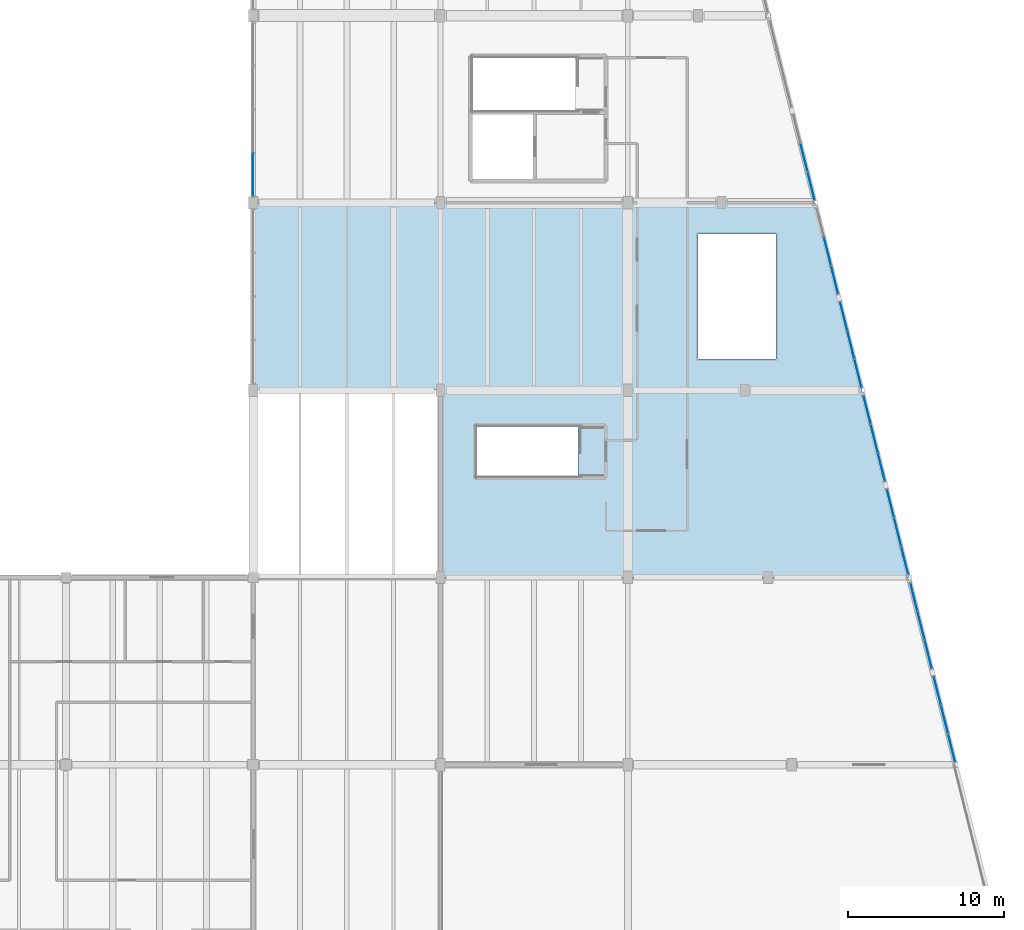
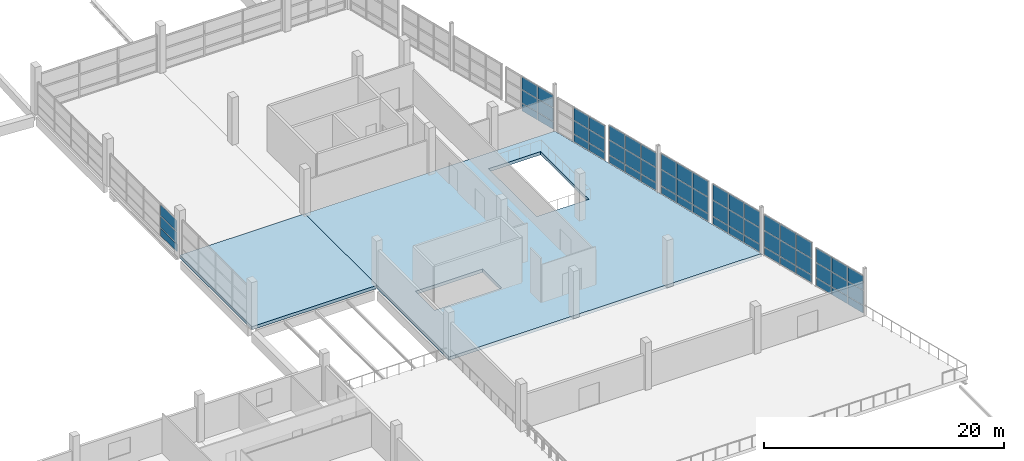
# One storey, part 31 of 49: 60 plates, 2 slabs, 8 elements without a shape of their own.
"""IFC4 building model written with IfcOpenShell, lengths in metres."""

import ifcopenshell
import ifcopenshell.guid

model = None  # the IFC model being written
_history = None  # IfcOwnerHistory: only IFC2X3 demands one
_inside = {}  # id of a spatial element -> (the spatial element, [elements in it])
_under = {}  # id of a project, library or spatial element -> (it, [spatial elements below it])
_declared = {}  # id of a project -> (the project, [libraries it declares])
_typed = {}  # id of a type object -> (the type object, [elements of that type])
_made_of = {}  # id of a material, layer set ... -> (it, [elements and type objects made of it])


def new_model(schema):
    """Start an empty IFC model of exactly this schema.

    Asked for "IFC4X3", IfcOpenShell would pick the latest addendum, in which some entities
    have other attributes; the version numbers below select the first issue.
    IFC2X3 requires an IfcOwnerHistory on every rooted entity: one is made here for all.
    """
    global model, _history
    if schema == "IFC4X3":
        model = ifcopenshell.file(schema_version=(4, 3, 0, 0))
    else:
        model = ifcopenshell.file(schema=schema)
    _inside.clear()
    _under.clear()
    _declared.clear()
    _typed.clear()
    _made_of.clear()
    _history = None
    if model.schema == "IFC2X3":
        org = make("IfcOrganization", Name="unknown")
        user = make(
            "IfcPersonAndOrganization",
            ThePerson=make("IfcPerson", FamilyName="unknown"),
            TheOrganization=org,
        )
        app = make(
            "IfcApplication",
            ApplicationDeveloper=org,
            Version="unknown",
            ApplicationFullName="unknown",
            ApplicationIdentifier="unknown",
        )
        _history = make(
            "IfcOwnerHistory",
            OwningUser=user,
            OwningApplication=app,
            ChangeAction="ADDED",
            CreationDate=0,
        )
    return model


def make(cls, **values):
    """One entity of the class cls with the attributes given. An attribute that is None is left unset."""
    return model.create_entity(
        cls, **{name: value for name, value in values.items() if value is not None}
    )


def rooted(cls, **values):
    """An entity with a GlobalId (a new one), such as an element, a storey or a relation."""
    return make(cls, GlobalId=ifcopenshell.guid.new(), OwnerHistory=_history, **values)


def si_unit(unit_type, name, prefix=None):
    """IfcSIUnit, for example si_unit("LENGTHUNIT", "METRE", prefix="MILLI")."""
    return make("IfcSIUnit", UnitType=unit_type, Prefix=prefix, Name=name)


def assignment(units):
    """IfcUnitAssignment: the units of a project."""
    return None if units is None else make("IfcUnitAssignment", Units=units)


def point(xyz):
    """IfcCartesianPoint."""
    return None if xyz is None else make("IfcCartesianPoint", Coordinates=xyz)


def direction(xyz):
    """IfcDirection."""
    return None if xyz is None else make("IfcDirection", DirectionRatios=xyz)


def frame(location, z_axis=None, x_axis=None):
    """IfcAxis2Placement3D, a coordinate frame: its origin and axes. An axis left out is left unset."""
    return make(
        "IfcAxis2Placement3D",
        Location=point(location),
        Axis=direction(z_axis),
        RefDirection=direction(x_axis),
    )


def frame_2d(location, x_axis=None):
    """IfcAxis2Placement2D, a coordinate frame in the plane: its origin and x axis."""
    return make(
        "IfcAxis2Placement2D", Location=point(location), RefDirection=direction(x_axis)
    )


def origin():
    """The frame at (0, 0, 0) with its axes left unset."""
    return frame((0.0, 0.0, 0.0))


def origin_2d():
    """The frame at (0, 0) in the plane with its x axis left unset."""
    return frame_2d((0.0, 0.0))


def place(relative_to, where):
    """IfcLocalPlacement: puts the frame where relative to a parent placement (None: the world)."""
    return make(
        "IfcLocalPlacement", PlacementRelTo=relative_to, RelativePlacement=where
    )


def context(
    kind, dimensions, precision=None, world=None, true_north=None, identifier=None
):
    """IfcGeometricRepresentationContext, for example the 3D "Model" context."""
    return make(
        "IfcGeometricRepresentationContext",
        ContextIdentifier=identifier,
        ContextType=kind,
        CoordinateSpaceDimension=dimensions,
        Precision=precision,
        WorldCoordinateSystem=world,
        TrueNorth=true_north,
    )


def subcontext(parent, identifier, kind, view, scale=None):
    """IfcGeometricRepresentationSubContext, for example "Body" below "Model"."""
    return make(
        "IfcGeometricRepresentationSubContext",
        ContextIdentifier=identifier,
        ContextType=kind,
        ParentContext=parent,
        TargetScale=scale,
        TargetView=view,
    )


def project(units=None, contexts=None):
    """IfcProject with its units and contexts."""
    return rooted(
        "IfcProject",
        Name="project",
        RepresentationContexts=contexts,
        UnitsInContext=assignment(units),
    )


def spatial(cls, under=None, at=None, **own):
    """A site, building, storey or space (cls), placed at a placement, below another one or the project."""
    s = rooted(cls, ObjectPlacement=at, **own)
    if under is not None:
        _under.setdefault(under.id(), (under, []))[1].append(s)
    return s


def polyline(points):
    """IfcPolyline through the points."""
    return make("IfcPolyline", Points=[point(p) for p in points])


def profile(cls, at=None, kind="AREA", **sizes):
    """A parametric profile (cls). Its sizes go by their IFC names, for example OverallWidth=200.0."""
    return make(cls, ProfileType=kind, Position=at, **sizes)


def rectangle(**sizes):
    """IfcRectangleProfileDef."""
    return profile("IfcRectangleProfileDef", **sizes)


def outline(outer, holes=None, kind="AREA"):
    """IfcArbitraryClosedProfileDef: a profile drawn as a closed curve; with holes, ...WithVoids."""
    if holes is None:
        return make("IfcArbitraryClosedProfileDef", ProfileType=kind, OuterCurve=outer)
    return make(
        "IfcArbitraryProfileDefWithVoids",
        ProfileType=kind,
        OuterCurve=outer,
        InnerCurves=holes,
    )


def extrude(swept, where, along, depth):
    """IfcExtrudedAreaSolid: the profile swept, set in the frame where, extruded along a direction by depth."""
    return make(
        "IfcExtrudedAreaSolid",
        SweptArea=swept,
        Position=where,
        ExtrudedDirection=direction(along),
        Depth=depth,
    )


def shape(context_of_items, identifier, shape_type, items):
    """IfcShapeRepresentation: the items that make up one representation, for example the "Body"."""
    return make(
        "IfcShapeRepresentation",
        ContextOfItems=context_of_items,
        RepresentationIdentifier=identifier,
        RepresentationType=shape_type,
        Items=items,
    )


def material(Name=None, Category=None):
    """IfcMaterial."""
    return make("IfcMaterial", Name=Name, Category=Category)


def layer(
    of_material, thickness, ventilated=None, Name=None, Category=None, Priority=None
):
    """IfcMaterialLayer: one layer of a wall or slab, of a material (None: an air gap)."""
    return make(
        "IfcMaterialLayer",
        Material=of_material,
        LayerThickness=thickness,
        IsVentilated=ventilated,
        Name=Name,
        Category=Category,
        Priority=Priority,
    )


def layer_set(layers, Name=None):
    """IfcMaterialLayerSet."""
    return make("IfcMaterialLayerSet", MaterialLayers=layers, LayerSetName=Name)


def made_of(thing, what):
    """Note that an element or type object is made of a material, layer set ...; save() writes the relation."""
    if what is not None:
        _made_of.setdefault(what.id(), (what, []))[1].append(thing)
    return thing


def type_object(cls, material=None, **own):
    """A type object (cls), such as IfcWallType, which elements share."""
    return made_of(rooted(cls, **own), material)


def element(
    cls,
    number,
    at=None,
    inside=None,
    cuts=None,
    type_object=None,
    material=None,
    context=None,
    identifier="Body",
    shape_type=None,
    held_by="IfcProductDefinitionShape",
    body=None,
    shapes=None,
    **own,
):
    """One element of the class cls, such as IfcWall. Its Tag is "e" and its number.

    at: its placement. inside: the storey or other place that contains it. cuts: it is an
    opening in that element (IfcRelVoidsElement). A single representation is given by context,
    identifier, shape_type and body (its items); several are given by shapes. held_by: the class
    of the entity that holds the representations. save() writes the other relations.
    """
    e = rooted(cls, Tag="e%d" % number, ObjectPlacement=at, **own)
    if body is not None:
        shapes = [shape(context, identifier, shape_type, body)]
    if shapes is not None:
        e.Representation = make(held_by, Representations=shapes)
    if inside is not None:
        _inside.setdefault(inside.id(), (inside, []))[1].append(e)
    if cuts is not None:
        rooted(
            "IfcRelVoidsElement", RelatingBuildingElement=cuts, RelatedOpeningElement=e
        )
    if type_object is not None:
        _typed.setdefault(type_object.id(), (type_object, []))[1].append(e)
    return made_of(e, material)


def aggregate(whole, parts):
    """IfcRelAggregates: a whole, such as a stair, and the parts it consists of."""
    return rooted("IfcRelAggregates", RelatingObject=whole, RelatedObjects=parts)


def save(model, path):
    """Write the relations noted so far, then the file.

    IfcRelAggregates (storeys below a building ...), IfcRelContainedInSpatialStructure (elements
    in a storey), IfcRelDefinesByType, IfcRelAssociatesMaterial and IfcRelDeclares: one each for
    every whole, place, type object, material and project.
    """
    for whole, parts in _under.values():
        aggregate(whole, parts)
    for where, things in _inside.values():
        rooted(
            "IfcRelContainedInSpatialStructure",
            RelatedElements=things,
            RelatingStructure=where,
        )
    for kind, things in _typed.values():
        rooted("IfcRelDefinesByType", RelatedObjects=things, RelatingType=kind)
    for what, things in _made_of.values():
        rooted("IfcRelAssociatesMaterial", RelatedObjects=things, RelatingMaterial=what)
    for by, libraries in _declared.values():
        rooted("IfcRelDeclares", RelatingContext=by, RelatedDefinitions=libraries)
    model.write(path)


model = new_model("IFC4")

# Units and contexts
model_context = context("Model", 3, precision=1e-05, world=origin(), true_north=direction((0.0, 1.0)))
body_context = subcontext(model_context, "Body", "Model", "MODEL_VIEW")
ifc_project = project(units=[si_unit("LENGTHUNIT", "METRE"), si_unit("AREAUNIT", "SQUARE_METRE"), si_unit("VOLUMEUNIT", "CUBIC_METRE"), si_unit("PLANEANGLEUNIT", "RADIAN"), si_unit("MASSUNIT", "GRAM", prefix="KILO")], contexts=[model_context])

# Site, building, storey
site_placement = place(None, origin())
site = spatial("IfcSite", under=ifc_project, at=site_placement, CompositionType="ELEMENT")
building_placement = place(site_placement, origin())
building = spatial("IfcBuilding", under=site, at=building_placement, Name="Kamomehara Wholesale Market", CompositionType="ELEMENT")
storey_placement = place(building_placement, frame((0.0, 0.0, 11.39990234375)))
storey = spatial("IfcBuildingStorey", under=building, at=storey_placement, Name="L02", CompositionType="ELEMENT", Elevation=11.39990234375)

# Curtain wall, plates
ifc_material_1 = material(Name="Anodised aluminium 6063-T5", Category="aluminium")
curtain_wall_type_1 = type_object("IfcCurtainWallType", Name="CW-UN-09", PredefinedType="NOTDEFINED", material=ifc_material_1)
curtain_wall_1_placement = place(storey_placement, origin())
curtain_wall_1 = element("IfcCurtainWall", 1, at=curtain_wall_1_placement, inside=storey, type_object=curtain_wall_type_1, Name="Unitised curtain wall CW-195", PredefinedType="NOTDEFINED")
ifc_material_2 = material(Name="Solar-control Low-E double glazing", Category="glass")
ifc_layer_1 = layer(ifc_material_2, 0.028076171875)
ifc_layer_set_1 = layer_set([ifc_layer_1], Name="Solar-control Low-E double glazing")
plate_type_1 = type_object("IfcPlateType", Name="CW-PNL-GLZ", PredefinedType="CURTAIN_PANEL", material=ifc_layer_set_1)
plate_1_placement = place(storey_placement, frame((198.333984375, 46.74609375, 0.87939453125), z_axis=(0.0, 0.0, 1.0), x_axis=(0.242616162662, -0.970122362187, 0.0)))
plate_1 = element("IfcPlate", 2, at=plate_1_placement, type_object=plate_type_1, Name="Curtain panel CW-195.0.1", PredefinedType="CURTAIN_PANEL", context=body_context, shape_type="SweptSolid", body=[
    extrude(rectangle(XDim=1.81494140625, YDim=0.028076171875, at=origin_2d()), origin(), (0.0, 0.0, 1.0), 1.611083984375),
])
plate_2_placement = place(storey_placement, frame((198.333984375, 46.74609375, 2.55078125), z_axis=(0.0, 0.0, 1.0), x_axis=(0.242616162662, -0.970122362187, 0.0)))
plate_2 = element("IfcPlate", 3, at=plate_2_placement, type_object=plate_type_1, Name="Curtain panel CW-195.0.2", PredefinedType="CURTAIN_PANEL", context=body_context, shape_type="SweptSolid", body=[
    extrude(rectangle(XDim=1.81494140625, YDim=0.028076171875, at=origin_2d()), origin(), (0.0, 0.0, 1.0), 1.571044921875),
])
plate_3_placement = place(storey_placement, frame((198.7939453125, 44.907958984375, 0.87939453125), z_axis=(0.0, 0.0, 1.0), x_axis=(0.242616162662, -0.970122362187, 0.0)))
plate_3 = element("IfcPlate", 4, at=plate_3_placement, type_object=plate_type_1, Name="Curtain panel CW-195.1.1", PredefinedType="CURTAIN_PANEL", context=body_context, shape_type="SweptSolid", body=[
    extrude(rectangle(XDim=1.81494140625, YDim=0.028076171875, at=origin_2d()), origin(), (0.0, 0.0, 1.0), 1.611083984375),
])
plate_4_placement = place(storey_placement, frame((198.7939453125, 44.907958984375, 2.55078125), z_axis=(0.0, 0.0, 1.0), x_axis=(0.242616162662, -0.970122362187, 0.0)))
plate_4 = element("IfcPlate", 5, at=plate_4_placement, type_object=plate_type_1, Name="Curtain panel CW-195.1.2", PredefinedType="CURTAIN_PANEL", context=body_context, shape_type="SweptSolid", body=[
    extrude(rectangle(XDim=1.81494140625, YDim=0.028076171875, at=origin_2d()), origin(), (0.0, 0.0, 1.0), 1.571044921875),
])
plate_5_placement = place(storey_placement, frame((199.25390625, 43.070068359375, 0.87939453125), z_axis=(0.0, 0.0, 1.0), x_axis=(0.242616162662, -0.970122362187, 0.0)))
plate_5 = element("IfcPlate", 6, at=plate_5_placement, type_object=plate_type_1, Name="Curtain panel CW-195.2.1", PredefinedType="CURTAIN_PANEL", context=body_context, shape_type="SweptSolid", body=[
    extrude(rectangle(XDim=1.81494140625, YDim=0.028076171875, at=origin_2d()), origin(), (0.0, 0.0, 1.0), 1.611083984375),
])
plate_6_placement = place(storey_placement, frame((199.25390625, 43.070068359375, 2.55078125), z_axis=(0.0, 0.0, 1.0), x_axis=(0.242616162662, -0.970122362187, 0.0)))
plate_6 = element("IfcPlate", 7, at=plate_6_placement, type_object=plate_type_1, Name="Curtain panel CW-195.2.2", PredefinedType="CURTAIN_PANEL", context=body_context, shape_type="SweptSolid", body=[
    extrude(rectangle(XDim=1.81494140625, YDim=0.028076171875, at=origin_2d()), origin(), (0.0, 0.0, 1.0), 1.571044921875),
])

curtain_wall_2_placement = place(storey_placement, origin())
curtain_wall_2 = element("IfcCurtainWall", 8, at=curtain_wall_2_placement, inside=storey, type_object=curtain_wall_type_1, Name="Unitised curtain wall CW-196", PredefinedType="NOTDEFINED")
plate_7_placement = place(storey_placement, frame((199.833984375, 40.7470703125, 0.880126953125), z_axis=(0.0, 0.0, 1.0), x_axis=(0.242497638046, -0.970151996103, 0.0)))
plate_7 = element("IfcPlate", 9, at=plate_7_placement, type_object=plate_type_1, Name="Curtain panel CW-196.0.1", PredefinedType="CURTAIN_PANEL", context=body_context, shape_type="SweptSolid", body=[
    extrude(rectangle(XDim=1.81103515625, YDim=0.028076171875, at=origin_2d()), origin(), (0.0, 0.0, 1.0), 1.47998046875),
])
plate_8_placement = place(storey_placement, frame((199.833984375, 40.7470703125, 2.420166015625), z_axis=(0.0, 0.0, 1.0), x_axis=(0.242497638046, -0.970151996103, 0.0)))
plate_8 = element("IfcPlate", 10, at=plate_8_placement, type_object=plate_type_1, Name="Curtain panel CW-196.0.2", PredefinedType="CURTAIN_PANEL", context=body_context, shape_type="SweptSolid", body=[
    extrude(rectangle(XDim=1.81103515625, YDim=0.028076171875, at=origin_2d()), origin(), (0.0, 0.0, 1.0), 1.43994140625),
])
plate_9_placement = place(storey_placement, frame((200.2919921875, 38.912109375, 0.880126953125), z_axis=(0.0, 0.0, 1.0), x_axis=(0.242497638046, -0.970151996103, 0.0)))
plate_9 = element("IfcPlate", 11, at=plate_9_placement, type_object=plate_type_1, Name="Curtain panel CW-196.1.1", PredefinedType="CURTAIN_PANEL", context=body_context, shape_type="SweptSolid", body=[
    extrude(rectangle(XDim=1.81103515625, YDim=0.028076171875, at=origin_2d()), origin(), (0.0, 0.0, 1.0), 1.47998046875),
])
plate_10_placement = place(storey_placement, frame((200.2919921875, 38.912109375, 2.420166015625), z_axis=(0.0, 0.0, 1.0), x_axis=(0.242497638046, -0.970151996103, 0.0)))
plate_10 = element("IfcPlate", 12, at=plate_10_placement, type_object=plate_type_1, Name="Curtain panel CW-196.1.2", PredefinedType="CURTAIN_PANEL", context=body_context, shape_type="SweptSolid", body=[
    extrude(rectangle(XDim=1.81103515625, YDim=0.028076171875, at=origin_2d()), origin(), (0.0, 0.0, 1.0), 1.43994140625),
])
plate_11_placement = place(storey_placement, frame((200.7509765625, 37.076904296875, 0.880126953125), z_axis=(0.0, 0.0, 1.0), x_axis=(0.242497638046, -0.970151996103, 0.0)))
plate_11 = element("IfcPlate", 13, at=plate_11_placement, type_object=plate_type_1, Name="Curtain panel CW-196.2.1", PredefinedType="CURTAIN_PANEL", context=body_context, shape_type="SweptSolid", body=[
    extrude(rectangle(XDim=1.81103515625, YDim=0.028076171875, at=origin_2d()), origin(), (0.0, 0.0, 1.0), 1.47998046875),
])
plate_12_placement = place(storey_placement, frame((200.7509765625, 37.076904296875, 2.420166015625), z_axis=(0.0, 0.0, 1.0), x_axis=(0.242497638046, -0.970151996103, 0.0)))
plate_12 = element("IfcPlate", 14, at=plate_12_placement, type_object=plate_type_1, Name="Curtain panel CW-196.2.2", PredefinedType="CURTAIN_PANEL", context=body_context, shape_type="SweptSolid", body=[
    extrude(rectangle(XDim=1.81103515625, YDim=0.028076171875, at=origin_2d()), origin(), (0.0, 0.0, 1.0), 1.43994140625),
])

curtain_wall_3_placement = place(storey_placement, origin())
curtain_wall_3 = element("IfcCurtainWall", 15, at=curtain_wall_3_placement, inside=storey, type_object=curtain_wall_type_1, Name="Unitised curtain wall CW-197", PredefinedType="NOTDEFINED")
plate_13_placement = place(storey_placement, frame((195.333984375, 58.74609375, 0.87939453125), z_axis=(0.0, 0.0, 1.0), x_axis=(0.242616162662, -0.970122362187, 0.0)))
plate_13 = element("IfcPlate", 16, at=plate_13_placement, type_object=plate_type_1, Name="Curtain panel CW-197.0.1", PredefinedType="CURTAIN_PANEL", context=body_context, shape_type="SweptSolid", body=[
    extrude(rectangle(XDim=1.81494140625, YDim=0.028076171875, at=origin_2d()), origin(), (0.0, 0.0, 1.0), 1.611083984375),
])
plate_14_placement = place(storey_placement, frame((195.333984375, 58.74609375, 2.55078125), z_axis=(0.0, 0.0, 1.0), x_axis=(0.242616162662, -0.970122362187, 0.0)))
plate_14 = element("IfcPlate", 17, at=plate_14_placement, type_object=plate_type_1, Name="Curtain panel CW-197.0.2", PredefinedType="CURTAIN_PANEL", context=body_context, shape_type="SweptSolid", body=[
    extrude(rectangle(XDim=1.81494140625, YDim=0.028076171875, at=origin_2d()), origin(), (0.0, 0.0, 1.0), 1.571044921875),
])
plate_15_placement = place(storey_placement, frame((195.7939453125, 56.907958984375, 0.87939453125), z_axis=(0.0, 0.0, 1.0), x_axis=(0.242616162662, -0.970122362187, 0.0)))
plate_15 = element("IfcPlate", 18, at=plate_15_placement, type_object=plate_type_1, Name="Curtain panel CW-197.1.1", PredefinedType="CURTAIN_PANEL", context=body_context, shape_type="SweptSolid", body=[
    extrude(rectangle(XDim=1.81494140625, YDim=0.028076171875, at=origin_2d()), origin(), (0.0, 0.0, 1.0), 1.611083984375),
])
plate_16_placement = place(storey_placement, frame((195.7939453125, 56.907958984375, 2.55078125), z_axis=(0.0, 0.0, 1.0), x_axis=(0.242616162662, -0.970122362187, 0.0)))
plate_16 = element("IfcPlate", 19, at=plate_16_placement, type_object=plate_type_1, Name="Curtain panel CW-197.1.2", PredefinedType="CURTAIN_PANEL", context=body_context, shape_type="SweptSolid", body=[
    extrude(rectangle(XDim=1.81494140625, YDim=0.028076171875, at=origin_2d()), origin(), (0.0, 0.0, 1.0), 1.571044921875),
])
plate_17_placement = place(storey_placement, frame((196.25390625, 55.070068359375, 0.87939453125), z_axis=(0.0, 0.0, 1.0), x_axis=(0.242616162662, -0.970122362187, 0.0)))
plate_17 = element("IfcPlate", 20, at=plate_17_placement, type_object=plate_type_1, Name="Curtain panel CW-197.2.1", PredefinedType="CURTAIN_PANEL", context=body_context, shape_type="SweptSolid", body=[
    extrude(rectangle(XDim=1.81494140625, YDim=0.028076171875, at=origin_2d()), origin(), (0.0, 0.0, 1.0), 1.611083984375),
])
plate_18_placement = place(storey_placement, frame((196.25390625, 55.070068359375, 2.55078125), z_axis=(0.0, 0.0, 1.0), x_axis=(0.242616162662, -0.970122362187, 0.0)))
plate_18 = element("IfcPlate", 21, at=plate_18_placement, type_object=plate_type_1, Name="Curtain panel CW-197.2.2", PredefinedType="CURTAIN_PANEL", context=body_context, shape_type="SweptSolid", body=[
    extrude(rectangle(XDim=1.81494140625, YDim=0.028076171875, at=origin_2d()), origin(), (0.0, 0.0, 1.0), 1.571044921875),
])

curtain_wall_4_placement = place(storey_placement, origin())
curtain_wall_4 = element("IfcCurtainWall", 22, at=curtain_wall_4_placement, inside=storey, type_object=curtain_wall_type_1, Name="Unitised curtain wall CW-198", PredefinedType="NOTDEFINED")
plate_19_placement = place(storey_placement, frame((196.833984375, 52.7470703125, 0.87939453125), z_axis=(0.0, 0.0, 1.0), x_axis=(0.242497638046, -0.970151996103, 0.0)))
plate_19 = element("IfcPlate", 23, at=plate_19_placement, type_object=plate_type_1, Name="Curtain panel CW-198.0.1", PredefinedType="CURTAIN_PANEL", context=body_context, shape_type="SweptSolid", body=[
    extrude(rectangle(XDim=1.81103515625, YDim=0.028076171875, at=origin_2d()), origin(), (0.0, 0.0, 1.0), 1.611083984375),
])
plate_20_placement = place(storey_placement, frame((196.833984375, 52.7470703125, 2.55078125), z_axis=(0.0, 0.0, 1.0), x_axis=(0.242497638046, -0.970151996103, 0.0)))
plate_20 = element("IfcPlate", 24, at=plate_20_placement, type_object=plate_type_1, Name="Curtain panel CW-198.0.2", PredefinedType="CURTAIN_PANEL", context=body_context, shape_type="SweptSolid", body=[
    extrude(rectangle(XDim=1.81103515625, YDim=0.028076171875, at=origin_2d()), origin(), (0.0, 0.0, 1.0), 1.571044921875),
])
plate_21_placement = place(storey_placement, frame((197.2919921875, 50.912109375, 0.87939453125), z_axis=(0.0, 0.0, 1.0), x_axis=(0.242497638046, -0.970151996103, 0.0)))
plate_21 = element("IfcPlate", 25, at=plate_21_placement, type_object=plate_type_1, Name="Curtain panel CW-198.1.1", PredefinedType="CURTAIN_PANEL", context=body_context, shape_type="SweptSolid", body=[
    extrude(rectangle(XDim=1.81103515625, YDim=0.028076171875, at=origin_2d()), origin(), (0.0, 0.0, 1.0), 1.611083984375),
])
plate_22_placement = place(storey_placement, frame((197.2919921875, 50.912109375, 2.55078125), z_axis=(0.0, 0.0, 1.0), x_axis=(0.242497638046, -0.970151996103, 0.0)))
plate_22 = element("IfcPlate", 26, at=plate_22_placement, type_object=plate_type_1, Name="Curtain panel CW-198.1.2", PredefinedType="CURTAIN_PANEL", context=body_context, shape_type="SweptSolid", body=[
    extrude(rectangle(XDim=1.81103515625, YDim=0.028076171875, at=origin_2d()), origin(), (0.0, 0.0, 1.0), 1.571044921875),
])
plate_23_placement = place(storey_placement, frame((197.7509765625, 49.076904296875, 0.87939453125), z_axis=(0.0, 0.0, 1.0), x_axis=(0.242497638046, -0.970151996103, 0.0)))
plate_23 = element("IfcPlate", 27, at=plate_23_placement, type_object=plate_type_1, Name="Curtain panel CW-198.2.1", PredefinedType="CURTAIN_PANEL", context=body_context, shape_type="SweptSolid", body=[
    extrude(rectangle(XDim=1.81103515625, YDim=0.028076171875, at=origin_2d()), origin(), (0.0, 0.0, 1.0), 1.611083984375),
])
plate_24_placement = place(storey_placement, frame((197.7509765625, 49.076904296875, 2.55078125), z_axis=(0.0, 0.0, 1.0), x_axis=(0.242497638046, -0.970151996103, 0.0)))
plate_24 = element("IfcPlate", 28, at=plate_24_placement, type_object=plate_type_1, Name="Curtain panel CW-198.2.2", PredefinedType="CURTAIN_PANEL", context=body_context, shape_type="SweptSolid", body=[
    extrude(rectangle(XDim=1.81103515625, YDim=0.028076171875, at=origin_2d()), origin(), (0.0, 0.0, 1.0), 1.571044921875),
])

curtain_wall_5_placement = place(storey_placement, origin())
curtain_wall_5 = element("IfcCurtainWall", 29, at=curtain_wall_5_placement, inside=storey, type_object=curtain_wall_type_1, Name="Unitised curtain wall CW-199", PredefinedType="NOTDEFINED")
plate_25_placement = place(storey_placement, frame((192.7939453125, 68.907958984375, 0.880615234375), z_axis=(0.0, 0.0, 1.0), x_axis=(0.242616162662, -0.970122362187, 0.0)))
plate_25 = element("IfcPlate", 30, at=plate_25_placement, type_object=plate_type_1, Name="Curtain panel CW-199.1.1", PredefinedType="CURTAIN_PANEL", context=body_context, shape_type="SweptSolid", body=[
    extrude(rectangle(XDim=1.81494140625, YDim=0.028076171875, at=origin_2d()), origin(), (0.0, 0.0, 1.0), 1.31494140625),
])
plate_26_placement = place(storey_placement, frame((192.7939453125, 68.907958984375, 2.255615234375), z_axis=(0.0, 0.0, 1.0), x_axis=(0.242616162662, -0.970122362187, 0.0)))
plate_26 = element("IfcPlate", 31, at=plate_26_placement, type_object=plate_type_1, Name="Curtain panel CW-199.1.2", PredefinedType="CURTAIN_PANEL", context=body_context, shape_type="SweptSolid", body=[
    extrude(rectangle(XDim=1.81494140625, YDim=0.028076171875, at=origin_2d()), origin(), (0.0, 0.0, 1.0), 1.27490234375),
])
plate_27_placement = place(storey_placement, frame((193.25390625, 67.070068359375, 0.880615234375), z_axis=(0.0, 0.0, 1.0), x_axis=(0.242616162662, -0.970122362187, 0.0)))
plate_27 = element("IfcPlate", 32, at=plate_27_placement, type_object=plate_type_1, Name="Curtain panel CW-199.2.1", PredefinedType="CURTAIN_PANEL", context=body_context, shape_type="SweptSolid", body=[
    extrude(rectangle(XDim=1.81494140625, YDim=0.028076171875, at=origin_2d()), origin(), (0.0, 0.0, 1.0), 1.31494140625),
])
plate_28_placement = place(storey_placement, frame((193.25390625, 67.070068359375, 2.255615234375), z_axis=(0.0, 0.0, 1.0), x_axis=(0.242616162662, -0.970122362187, 0.0)))
plate_28 = element("IfcPlate", 33, at=plate_28_placement, type_object=plate_type_1, Name="Curtain panel CW-199.2.2", PredefinedType="CURTAIN_PANEL", context=body_context, shape_type="SweptSolid", body=[
    extrude(rectangle(XDim=1.81494140625, YDim=0.028076171875, at=origin_2d()), origin(), (0.0, 0.0, 1.0), 1.27490234375),
])

curtain_wall_6_placement = place(storey_placement, origin())
curtain_wall_6 = element("IfcCurtainWall", 34, at=curtain_wall_6_placement, inside=storey, type_object=curtain_wall_type_1, Name="Unitised curtain wall CW-200", PredefinedType="NOTDEFINED")
plate_29_placement = place(storey_placement, frame((193.833984375, 64.7470703125, 0.880126953125), z_axis=(0.0, 0.0, 1.0), x_axis=(0.242497638046, -0.970151996103, 0.0)))
plate_29 = element("IfcPlate", 35, at=plate_29_placement, type_object=plate_type_1, Name="Curtain panel CW-200.0.1", PredefinedType="CURTAIN_PANEL", context=body_context, shape_type="SweptSolid", body=[
    extrude(rectangle(XDim=1.81103515625, YDim=0.028076171875, at=origin_2d()), origin(), (0.0, 0.0, 1.0), 1.47998046875),
])
plate_30_placement = place(storey_placement, frame((193.833984375, 64.7470703125, 2.420166015625), z_axis=(0.0, 0.0, 1.0), x_axis=(0.242497638046, -0.970151996103, 0.0)))
plate_30 = element("IfcPlate", 36, at=plate_30_placement, type_object=plate_type_1, Name="Curtain panel CW-200.0.2", PredefinedType="CURTAIN_PANEL", context=body_context, shape_type="SweptSolid", body=[
    extrude(rectangle(XDim=1.81103515625, YDim=0.028076171875, at=origin_2d()), origin(), (0.0, 0.0, 1.0), 1.43994140625),
])
plate_31_placement = place(storey_placement, frame((194.2919921875, 62.912109375, 0.880126953125), z_axis=(0.0, 0.0, 1.0), x_axis=(0.242497638046, -0.970151996103, 0.0)))
plate_31 = element("IfcPlate", 37, at=plate_31_placement, type_object=plate_type_1, Name="Curtain panel CW-200.1.1", PredefinedType="CURTAIN_PANEL", context=body_context, shape_type="SweptSolid", body=[
    extrude(rectangle(XDim=1.81103515625, YDim=0.028076171875, at=origin_2d()), origin(), (0.0, 0.0, 1.0), 1.47998046875),
])
plate_32_placement = place(storey_placement, frame((194.2919921875, 62.912109375, 2.420166015625), z_axis=(0.0, 0.0, 1.0), x_axis=(0.242497638046, -0.970151996103, 0.0)))
plate_32 = element("IfcPlate", 38, at=plate_32_placement, type_object=plate_type_1, Name="Curtain panel CW-200.1.2", PredefinedType="CURTAIN_PANEL", context=body_context, shape_type="SweptSolid", body=[
    extrude(rectangle(XDim=1.81103515625, YDim=0.028076171875, at=origin_2d()), origin(), (0.0, 0.0, 1.0), 1.43994140625),
])
plate_33_placement = place(storey_placement, frame((194.7509765625, 61.076904296875, 0.880126953125), z_axis=(0.0, 0.0, 1.0), x_axis=(0.242497638046, -0.970151996103, 0.0)))
plate_33 = element("IfcPlate", 39, at=plate_33_placement, type_object=plate_type_1, Name="Curtain panel CW-200.2.1", PredefinedType="CURTAIN_PANEL", context=body_context, shape_type="SweptSolid", body=[
    extrude(rectangle(XDim=1.81103515625, YDim=0.028076171875, at=origin_2d()), origin(), (0.0, 0.0, 1.0), 1.47998046875),
])
plate_34_placement = place(storey_placement, frame((194.7509765625, 61.076904296875, 2.420166015625), z_axis=(0.0, 0.0, 1.0), x_axis=(0.242497638046, -0.970151996103, 0.0)))
plate_34 = element("IfcPlate", 40, at=plate_34_placement, type_object=plate_type_1, Name="Curtain panel CW-200.2.2", PredefinedType="CURTAIN_PANEL", context=body_context, shape_type="SweptSolid", body=[
    extrude(rectangle(XDim=1.81103515625, YDim=0.028076171875, at=origin_2d()), origin(), (0.0, 0.0, 1.0), 1.43994140625),
])

curtain_wall_7_placement = place(storey_placement, origin())
curtain_wall_7 = element("IfcCurtainWall", 41, at=curtain_wall_7_placement, inside=storey, type_object=curtain_wall_type_1, Name="Unitised curtain wall CW-202", PredefinedType="NOTDEFINED")
plate_35_placement = place(storey_placement, frame((191.2919921875, 74.912109375, 0.880615234375), z_axis=(0.0, 0.0, 1.0), x_axis=(0.242497638046, -0.970151996103, 0.0)))
plate_35 = element("IfcPlate", 42, at=plate_35_placement, type_object=plate_type_1, Name="Curtain panel CW-202.1.1", PredefinedType="CURTAIN_PANEL", context=body_context, shape_type="SweptSolid", body=[
    extrude(rectangle(XDim=1.81103515625, YDim=0.028076171875, at=origin_2d()), origin(), (0.0, 0.0, 1.0), 1.31494140625),
])
plate_36_placement = place(storey_placement, frame((191.2919921875, 74.912109375, 2.255615234375), z_axis=(0.0, 0.0, 1.0), x_axis=(0.242497638046, -0.970151996103, 0.0)))
plate_36 = element("IfcPlate", 43, at=plate_36_placement, type_object=plate_type_1, Name="Curtain panel CW-202.1.2", PredefinedType="CURTAIN_PANEL", context=body_context, shape_type="SweptSolid", body=[
    extrude(rectangle(XDim=1.81103515625, YDim=0.028076171875, at=origin_2d()), origin(), (0.0, 0.0, 1.0), 1.27490234375),
])
plate_37_placement = place(storey_placement, frame((191.7509765625, 73.076904296875, 0.880615234375), z_axis=(0.0, 0.0, 1.0), x_axis=(0.242497638046, -0.970151996103, 0.0)))
plate_37 = element("IfcPlate", 44, at=plate_37_placement, type_object=plate_type_1, Name="Curtain panel CW-202.2.1", PredefinedType="CURTAIN_PANEL", context=body_context, shape_type="SweptSolid", body=[
    extrude(rectangle(XDim=1.81103515625, YDim=0.028076171875, at=origin_2d()), origin(), (0.0, 0.0, 1.0), 1.31494140625),
])
plate_38_placement = place(storey_placement, frame((191.7509765625, 73.076904296875, 2.255615234375), z_axis=(0.0, 0.0, 1.0), x_axis=(0.242497638046, -0.970151996103, 0.0)))
plate_38 = element("IfcPlate", 45, at=plate_38_placement, type_object=plate_type_1, Name="Curtain panel CW-202.2.2", PredefinedType="CURTAIN_PANEL", context=body_context, shape_type="SweptSolid", body=[
    extrude(rectangle(XDim=1.81103515625, YDim=0.028076171875, at=origin_2d()), origin(), (0.0, 0.0, 1.0), 1.27490234375),
])

ifc_material_3 = material(Name="Anodised aluminium 6063-T5", Category="aluminium")
curtain_wall_type_2 = type_object("IfcCurtainWallType", Name="CW-UN-01", PredefinedType="NOTDEFINED", material=ifc_material_3)
curtain_wall_8_placement = place(storey_placement, origin())
curtain_wall_8 = element("IfcCurtainWall", 46, at=curtain_wall_8_placement, inside=storey, type_object=curtain_wall_type_2, Name="Unitised curtain wall CW-209", PredefinedType="NOTDEFINED")
plate_39_placement = place(storey_placement, frame((155.97998046875, 73.80810546875, 0.87939453125), z_axis=(0.0, 0.0, 1.0), x_axis=(0.0, 1.0, 0.0)))
plate_39 = element("IfcPlate", 47, at=plate_39_placement, type_object=plate_type_1, Name="Curtain panel CW-209.0.1", PredefinedType="CURTAIN_PANEL", context=body_context, shape_type="SweptSolid", body=[
    extrude(rectangle(XDim=2.715087890625, YDim=0.028076171875, at=origin_2d()), origin(), (0.0, 0.0, 1.0), 1.155029296875),
])
plate_40_placement = place(storey_placement, frame((155.97998046875, 73.80810546875, 2.095703125), z_axis=(0.0, 0.0, 1.0), x_axis=(0.0, 1.0, 0.0)))
plate_40 = element("IfcPlate", 48, at=plate_40_placement, type_object=plate_type_1, Name="Curtain panel CW-209.0.2", PredefinedType="CURTAIN_PANEL", context=body_context, shape_type="SweptSolid", body=[
    extrude(rectangle(XDim=2.715087890625, YDim=0.028076171875, at=origin_2d()), origin(), (0.0, 0.0, 1.0), 1.114990234375),
])

# Plate
ifc_material_4 = material(Name="Insulated aluminium spandrel panel", Category="aluminium")
ifc_layer_2 = layer(ifc_material_4, 0.0400390625)
ifc_layer_set_2 = layer_set([ifc_layer_2], Name="Insulated aluminium spandrel panel")
plate_type_2 = type_object("IfcPlateType", Name="CW-PNL-SPN", PredefinedType="CURTAIN_PANEL", material=ifc_layer_set_2)
plate_41_placement = place(storey_placement, frame((198.333984375, 46.74609375, 0.070068359375), z_axis=(0.0, 0.0, 1.0), x_axis=(0.242616162662, -0.970122362187, 0.0)))
plate_41 = element("IfcPlate", 49, at=plate_41_placement, type_object=plate_type_2, Name="Curtain panel CW-195.0.0", PredefinedType="CURTAIN_PANEL", context=body_context, shape_type="SweptSolid", body=[
    extrude(rectangle(XDim=1.81494140625, YDim=0.0400390625, at=origin_2d()), origin(), (0.0, 0.0, 1.0), 0.75),
])

plate_42_placement = place(storey_placement, frame((198.7939453125, 44.907958984375, 0.070068359375), z_axis=(0.0, 0.0, 1.0), x_axis=(0.242616162662, -0.970122362187, 0.0)))
plate_42 = element("IfcPlate", 50, at=plate_42_placement, type_object=plate_type_2, Name="Curtain panel CW-195.1.0", PredefinedType="CURTAIN_PANEL", context=body_context, shape_type="SweptSolid", body=[
    extrude(rectangle(XDim=1.81494140625, YDim=0.0400390625, at=origin_2d()), origin(), (0.0, 0.0, 1.0), 0.75),
])

plate_43_placement = place(storey_placement, frame((199.25390625, 43.070068359375, 0.070068359375), z_axis=(0.0, 0.0, 1.0), x_axis=(0.242616162662, -0.970122362187, 0.0)))
plate_43 = element("IfcPlate", 51, at=plate_43_placement, type_object=plate_type_2, Name="Curtain panel CW-195.2.0", PredefinedType="CURTAIN_PANEL", context=body_context, shape_type="SweptSolid", body=[
    extrude(rectangle(XDim=1.81494140625, YDim=0.0400390625, at=origin_2d()), origin(), (0.0, 0.0, 1.0), 0.75),
])

aggregate(curtain_wall_1, [plate_41, plate_1, plate_2, plate_42, plate_3, plate_4, plate_43, plate_5, plate_6])

plate_44_placement = place(storey_placement, frame((199.833984375, 40.7470703125, 0.070068359375), z_axis=(0.0, 0.0, 1.0), x_axis=(0.242497638046, -0.970151996103, 0.0)))
plate_44 = element("IfcPlate", 52, at=plate_44_placement, type_object=plate_type_2, Name="Curtain panel CW-196.0.0", PredefinedType="CURTAIN_PANEL", context=body_context, shape_type="SweptSolid", body=[
    extrude(rectangle(XDim=1.81103515625, YDim=0.0400390625, at=origin_2d()), origin(), (0.0, 0.0, 1.0), 0.75),
])

plate_45_placement = place(storey_placement, frame((200.2919921875, 38.912109375, 0.070068359375), z_axis=(0.0, 0.0, 1.0), x_axis=(0.242497638046, -0.970151996103, 0.0)))
plate_45 = element("IfcPlate", 53, at=plate_45_placement, type_object=plate_type_2, Name="Curtain panel CW-196.1.0", PredefinedType="CURTAIN_PANEL", context=body_context, shape_type="SweptSolid", body=[
    extrude(rectangle(XDim=1.81103515625, YDim=0.0400390625, at=origin_2d()), origin(), (0.0, 0.0, 1.0), 0.75),
])

plate_46_placement = place(storey_placement, frame((200.7509765625, 37.076904296875, 0.070068359375), z_axis=(0.0, 0.0, 1.0), x_axis=(0.242497638046, -0.970151996103, 0.0)))
plate_46 = element("IfcPlate", 54, at=plate_46_placement, type_object=plate_type_2, Name="Curtain panel CW-196.2.0", PredefinedType="CURTAIN_PANEL", context=body_context, shape_type="SweptSolid", body=[
    extrude(rectangle(XDim=1.81103515625, YDim=0.0400390625, at=origin_2d()), origin(), (0.0, 0.0, 1.0), 0.75),
])

aggregate(curtain_wall_2, [plate_44, plate_7, plate_8, plate_45, plate_9, plate_10, plate_46, plate_11, plate_12])

plate_47_placement = place(storey_placement, frame((195.333984375, 58.74609375, 0.070068359375), z_axis=(0.0, 0.0, 1.0), x_axis=(0.242616162662, -0.970122362187, 0.0)))
plate_47 = element("IfcPlate", 55, at=plate_47_placement, type_object=plate_type_2, Name="Curtain panel CW-197.0.0", PredefinedType="CURTAIN_PANEL", context=body_context, shape_type="SweptSolid", body=[
    extrude(rectangle(XDim=1.81494140625, YDim=0.0400390625, at=origin_2d()), origin(), (0.0, 0.0, 1.0), 0.75),
])

plate_48_placement = place(storey_placement, frame((195.7939453125, 56.907958984375, 0.070068359375), z_axis=(0.0, 0.0, 1.0), x_axis=(0.242616162662, -0.970122362187, 0.0)))
plate_48 = element("IfcPlate", 56, at=plate_48_placement, type_object=plate_type_2, Name="Curtain panel CW-197.1.0", PredefinedType="CURTAIN_PANEL", context=body_context, shape_type="SweptSolid", body=[
    extrude(rectangle(XDim=1.81494140625, YDim=0.0400390625, at=origin_2d()), origin(), (0.0, 0.0, 1.0), 0.75),
])

plate_49_placement = place(storey_placement, frame((196.25390625, 55.070068359375, 0.070068359375), z_axis=(0.0, 0.0, 1.0), x_axis=(0.242616162662, -0.970122362187, 0.0)))
plate_49 = element("IfcPlate", 57, at=plate_49_placement, type_object=plate_type_2, Name="Curtain panel CW-197.2.0", PredefinedType="CURTAIN_PANEL", context=body_context, shape_type="SweptSolid", body=[
    extrude(rectangle(XDim=1.81494140625, YDim=0.0400390625, at=origin_2d()), origin(), (0.0, 0.0, 1.0), 0.75),
])

aggregate(curtain_wall_3, [plate_47, plate_13, plate_14, plate_48, plate_15, plate_16, plate_49, plate_17, plate_18])

plate_50_placement = place(storey_placement, frame((196.833984375, 52.7470703125, 0.070068359375), z_axis=(0.0, 0.0, 1.0), x_axis=(0.242497638046, -0.970151996103, 0.0)))
plate_50 = element("IfcPlate", 58, at=plate_50_placement, type_object=plate_type_2, Name="Curtain panel CW-198.0.0", PredefinedType="CURTAIN_PANEL", context=body_context, shape_type="SweptSolid", body=[
    extrude(rectangle(XDim=1.81103515625, YDim=0.0400390625, at=origin_2d()), origin(), (0.0, 0.0, 1.0), 0.75),
])

plate_51_placement = place(storey_placement, frame((197.2919921875, 50.912109375, 0.070068359375), z_axis=(0.0, 0.0, 1.0), x_axis=(0.242497638046, -0.970151996103, 0.0)))
plate_51 = element("IfcPlate", 59, at=plate_51_placement, type_object=plate_type_2, Name="Curtain panel CW-198.1.0", PredefinedType="CURTAIN_PANEL", context=body_context, shape_type="SweptSolid", body=[
    extrude(rectangle(XDim=1.81103515625, YDim=0.0400390625, at=origin_2d()), origin(), (0.0, 0.0, 1.0), 0.75),
])

plate_52_placement = place(storey_placement, frame((197.7509765625, 49.076904296875, 0.070068359375), z_axis=(0.0, 0.0, 1.0), x_axis=(0.242497638046, -0.970151996103, 0.0)))
plate_52 = element("IfcPlate", 60, at=plate_52_placement, type_object=plate_type_2, Name="Curtain panel CW-198.2.0", PredefinedType="CURTAIN_PANEL", context=body_context, shape_type="SweptSolid", body=[
    extrude(rectangle(XDim=1.81103515625, YDim=0.0400390625, at=origin_2d()), origin(), (0.0, 0.0, 1.0), 0.75),
])

aggregate(curtain_wall_4, [plate_50, plate_19, plate_20, plate_51, plate_21, plate_22, plate_52, plate_23, plate_24])

plate_53_placement = place(storey_placement, frame((192.7939453125, 68.907958984375, 0.070068359375), z_axis=(0.0, 0.0, 1.0), x_axis=(0.242616162662, -0.970122362187, 0.0)))
plate_53 = element("IfcPlate", 61, at=plate_53_placement, type_object=plate_type_2, Name="Curtain panel CW-199.1.0", PredefinedType="CURTAIN_PANEL", context=body_context, shape_type="SweptSolid", body=[
    extrude(rectangle(XDim=1.81494140625, YDim=0.0400390625, at=origin_2d()), origin(), (0.0, 0.0, 1.0), 0.75),
])

plate_54_placement = place(storey_placement, frame((193.25390625, 67.070068359375, 0.070068359375), z_axis=(0.0, 0.0, 1.0), x_axis=(0.242616162662, -0.970122362187, 0.0)))
plate_54 = element("IfcPlate", 62, at=plate_54_placement, type_object=plate_type_2, Name="Curtain panel CW-199.2.0", PredefinedType="CURTAIN_PANEL", context=body_context, shape_type="SweptSolid", body=[
    extrude(rectangle(XDim=1.81494140625, YDim=0.0400390625, at=origin_2d()), origin(), (0.0, 0.0, 1.0), 0.75),
])

aggregate(curtain_wall_5, [plate_53, plate_25, plate_26, plate_54, plate_27, plate_28])

plate_55_placement = place(storey_placement, frame((193.833984375, 64.7470703125, 0.070068359375), z_axis=(0.0, 0.0, 1.0), x_axis=(0.242497638046, -0.970151996103, 0.0)))
plate_55 = element("IfcPlate", 63, at=plate_55_placement, type_object=plate_type_2, Name="Curtain panel CW-200.0.0", PredefinedType="CURTAIN_PANEL", context=body_context, shape_type="SweptSolid", body=[
    extrude(rectangle(XDim=1.81103515625, YDim=0.0400390625, at=origin_2d()), origin(), (0.0, 0.0, 1.0), 0.75),
])

plate_56_placement = place(storey_placement, frame((194.2919921875, 62.912109375, 0.070068359375), z_axis=(0.0, 0.0, 1.0), x_axis=(0.242497638046, -0.970151996103, 0.0)))
plate_56 = element("IfcPlate", 64, at=plate_56_placement, type_object=plate_type_2, Name="Curtain panel CW-200.1.0", PredefinedType="CURTAIN_PANEL", context=body_context, shape_type="SweptSolid", body=[
    extrude(rectangle(XDim=1.81103515625, YDim=0.0400390625, at=origin_2d()), origin(), (0.0, 0.0, 1.0), 0.75),
])

plate_57_placement = place(storey_placement, frame((194.7509765625, 61.076904296875, 0.070068359375), z_axis=(0.0, 0.0, 1.0), x_axis=(0.242497638046, -0.970151996103, 0.0)))
plate_57 = element("IfcPlate", 65, at=plate_57_placement, type_object=plate_type_2, Name="Curtain panel CW-200.2.0", PredefinedType="CURTAIN_PANEL", context=body_context, shape_type="SweptSolid", body=[
    extrude(rectangle(XDim=1.81103515625, YDim=0.0400390625, at=origin_2d()), origin(), (0.0, 0.0, 1.0), 0.75),
])

aggregate(curtain_wall_6, [plate_55, plate_29, plate_30, plate_56, plate_31, plate_32, plate_57, plate_33, plate_34])

plate_58_placement = place(storey_placement, frame((191.2919921875, 74.912109375, 0.070068359375), z_axis=(0.0, 0.0, 1.0), x_axis=(0.242497638046, -0.970151996103, 0.0)))
plate_58 = element("IfcPlate", 66, at=plate_58_placement, type_object=plate_type_2, Name="Curtain panel CW-202.1.0", PredefinedType="CURTAIN_PANEL", context=body_context, shape_type="SweptSolid", body=[
    extrude(rectangle(XDim=1.81103515625, YDim=0.0400390625, at=origin_2d()), origin(), (0.0, 0.0, 1.0), 0.75),
])

plate_59_placement = place(storey_placement, frame((191.7509765625, 73.076904296875, 0.070068359375), z_axis=(0.0, 0.0, 1.0), x_axis=(0.242497638046, -0.970151996103, 0.0)))
plate_59 = element("IfcPlate", 67, at=plate_59_placement, type_object=plate_type_2, Name="Curtain panel CW-202.2.0", PredefinedType="CURTAIN_PANEL", context=body_context, shape_type="SweptSolid", body=[
    extrude(rectangle(XDim=1.81103515625, YDim=0.0400390625, at=origin_2d()), origin(), (0.0, 0.0, 1.0), 0.75),
])

aggregate(curtain_wall_7, [plate_58, plate_35, plate_36, plate_59, plate_37, plate_38])

plate_60_placement = place(storey_placement, frame((155.97998046875, 73.80810546875, 0.070068359375), z_axis=(0.0, 0.0, 1.0), x_axis=(0.0, 1.0, 0.0)))
plate_60 = element("IfcPlate", 68, at=plate_60_placement, type_object=plate_type_2, Name="Curtain panel CW-209.0.0", PredefinedType="CURTAIN_PANEL", context=body_context, shape_type="SweptSolid", body=[
    extrude(rectangle(XDim=2.715087890625, YDim=0.0400390625, at=origin_2d()), origin(), (0.0, 0.0, 1.0), 0.75),
])

aggregate(curtain_wall_8, [plate_60, plate_39, plate_40])

# Slabs
ifc_material_5 = material(Name="Concrete Fc36 (C35/45)", Category="concrete")
ifc_layer_3 = layer(ifc_material_5, 0.320068359375)
ifc_layer_set_3 = layer_set([ifc_layer_3], Name="Concrete Fc36 (C35/45)")
slab_type_1 = type_object("IfcSlabType", Name="SLB-FLR-240", PredefinedType="FLOOR", material=ifc_layer_set_3)
slab_1_placement = place(storey_placement, frame((0.0, 0.0, -0.31982421875)))
element("IfcSlab", 69, at=slab_1_placement, inside=storey, type_object=slab_type_1, Name="Floor slab V2 L02 124", PredefinedType="FLOOR", context=body_context, shape_type="SweptSolid", body=[
    extrude(outline(polyline([(168.0, 72.0), (168.0, 60.0), (156.0, 60.0), (156.0, 72.0), (168.0, 72.0)])), origin(), (0.0, 0.0, 1.0), 0.31982421875),
])
ifc_material_6 = material(Name="Concrete Fc36 (C35/45)", Category="concrete")
ifc_layer_4 = layer(ifc_material_6, 0.330078125)
ifc_layer_set_4 = layer_set([ifc_layer_4], Name="Concrete Fc36 (C35/45)")
slab_type_2 = type_object("IfcSlabType", Name="SLB-FLR-260", PredefinedType="FLOOR", material=ifc_layer_set_4)
slab_2_placement = place(storey_placement, frame((0.0, 0.0, -0.329833984375)))
element("IfcSlab", 70, at=slab_2_placement, inside=storey, type_object=slab_type_2, Name="Floor slab V2 L02 127", PredefinedType="FLOOR", context=body_context, shape_type="SweptSolid", body=[
    extrude(outline(polyline([(168.0, 72.0), (192.0, 72.0), (195.0, 60.0), (198.0, 48.0), (168.0, 48.0), (168.0, 60.0), (168.0, 72.0)]), holes=[polyline([(176.794921875, 54.47998046875), (176.794921875, 57.64990234375), (170.330078125, 57.64990234375), (170.330078125, 54.47998046875), (176.794921875, 54.47998046875)]), polyline([(189.5, 62.0), (189.5, 70.0), (184.5, 70.0), (184.5, 62.0), (189.5, 62.0)])]), origin(), (0.0, 0.0, 1.0), 0.329833984375),
])

save(model, "model.ifc")
